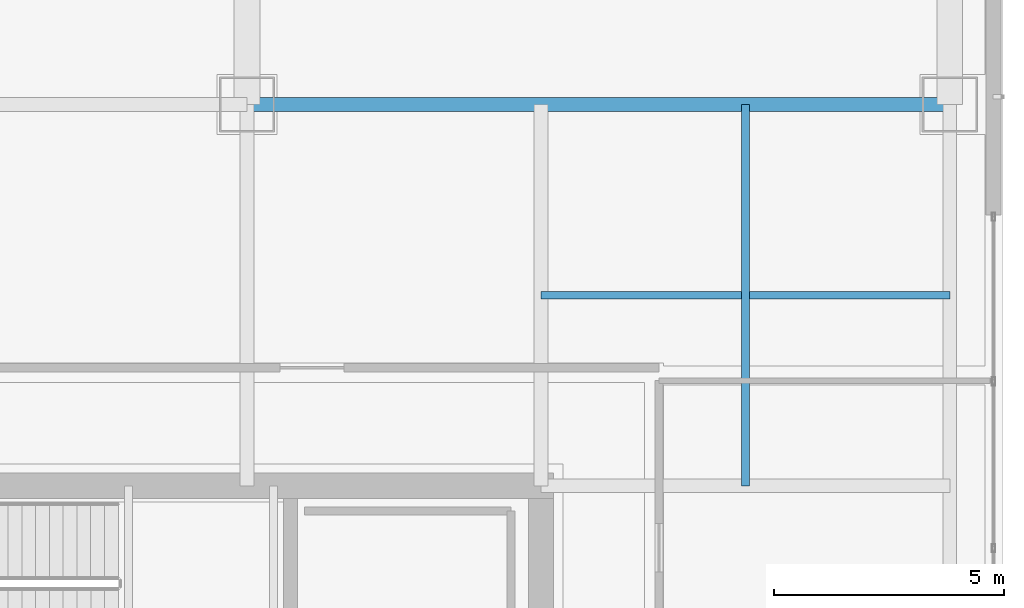
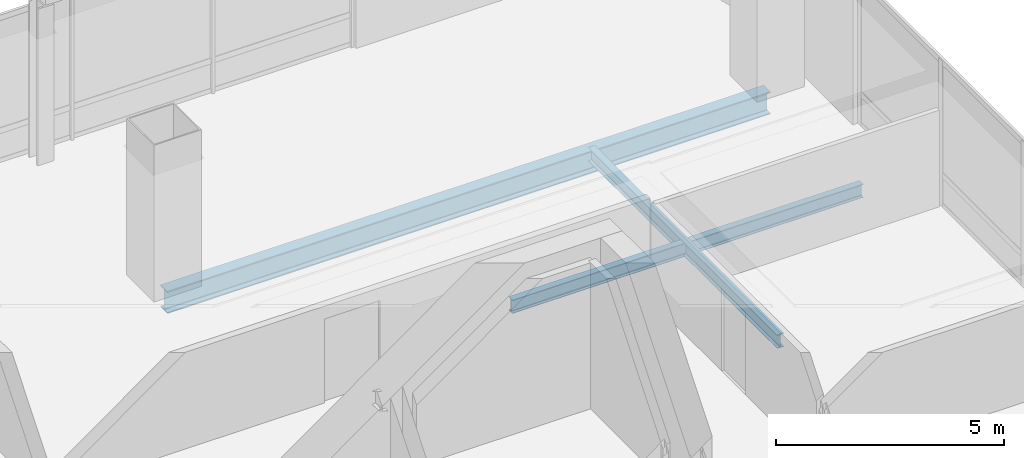
# One storey, part 27 of 51: 3 beams.
"""IFC4 building model written with IfcOpenShell, lengths in metres."""

from ifc_helpers import new_model, si_unit, direction, frame, origin, origin_2d, place, context, subcontext, project, spatial, i_section, extrude, material, material_profile, profile_set, type_object, element, save


model = new_model("IFC4")

# Units and contexts
model_context = context("Model", 3, precision=1e-05, world=origin(), true_north=direction((0.0, 1.0)))
body_context = subcontext(model_context, "Body", "Model", "MODEL_VIEW")
ifc_project = project(units=[si_unit("LENGTHUNIT", "METRE"), si_unit("AREAUNIT", "SQUARE_METRE"), si_unit("VOLUMEUNIT", "CUBIC_METRE"), si_unit("PLANEANGLEUNIT", "RADIAN"), si_unit("MASSUNIT", "GRAM", prefix="KILO")], contexts=[model_context])

# Site, building, storey
site_placement = place(None, origin())
site = spatial("IfcSite", under=ifc_project, at=site_placement, CompositionType="ELEMENT")
building_placement = place(site_placement, origin())
building = spatial("IfcBuilding", under=site, at=building_placement, Name="Punatoya Terracotta Tower", CompositionType="ELEMENT")
storey_placement = place(building_placement, frame((0.0, 0.0, 313.199951171875)))
storey = spatial("IfcBuildingStorey", under=building, at=storey_placement, Name="L74", CompositionType="ELEMENT", Elevation=313.199951171875)

# Beams
ifc_material = material(Name="Steel S355", Category="steel")
ifc_material_profile_1 = material_profile(ifc_material, i_section(OverallWidth=0.300048828125, OverallDepth=0.60009765625, WebThickness=0.015380859375, FlangeThickness=0.030029296875, FilletRadius=0.01806640625, at=origin_2d()))
ifc_profile_set_1 = profile_set([ifc_material_profile_1], Name="Steel S355")
beam_type_1 = type_object("IfcBeamType", Name="BM-PRI-600", PredefinedType="BEAM", material=ifc_profile_set_1)
beam_1_placement = place(storey_placement, frame((3.800048828125, 17.5, -0.5), z_axis=(1.0, 0.0, 0.0), x_axis=(0.0, 1.0, 0.0)))
element("IfcBeam", 1, at=beam_1_placement, inside=storey, type_object=beam_type_1, Name="BM-L74-RG-N3", PredefinedType="BEAM", context=body_context, shape_type="SweptSolid", body=[
    extrude(i_section(OverallWidth=0.300048828125, OverallDepth=0.60009765625, WebThickness=0.015380859375, FlangeThickness=0.030029296875, FilletRadius=0.01806640625, at=origin_2d()), origin(), (0.0, 0.0, 1.0), 15.300048828125),
])
ifc_material_profile_2 = material_profile(ifc_material, i_section(OverallWidth=0.169921875, OverallDepth=0.360107421875, WebThickness=0.008056640625, FlangeThickness=0.0126953125, FilletRadius=0.01806640625, at=origin_2d()))
ifc_profile_set_2 = profile_set([ifc_material_profile_2], Name="Steel S355")
beam_type_2 = type_object("IfcBeamType", Name="BM-SEC-360", PredefinedType="JOIST", material=ifc_profile_set_2)
beam_2_placement = place(storey_placement, frame((10.199951171875, 13.35009765625, -0.3798828125), z_axis=(1.0, 0.0, 0.0), x_axis=(0.0, 1.0, 0.0)))
element("IfcBeam", 2, at=beam_2_placement, inside=storey, type_object=beam_type_2, Name="BM-L74-SJN-2", PredefinedType="JOIST", context=body_context, shape_type="SweptSolid", body=[
    extrude(i_section(OverallWidth=0.169921875, OverallDepth=0.360107421875, WebThickness=0.008056640625, FlangeThickness=0.0126953125, FilletRadius=0.01806640625, at=origin_2d()), origin(), (0.0, 0.0, 1.0), 8.900146484375),
])
beam_3_placement = place(storey_placement, frame((14.64990234375, 9.199951171875, -0.3798828125), z_axis=(0.0, 1.0, 0.0), x_axis=(-1.0, 0.0, 0.0)))
element("IfcBeam", 3, at=beam_3_placement, inside=storey, type_object=beam_type_2, Name="BM-L74-SJE-2", PredefinedType="JOIST", context=body_context, shape_type="SweptSolid", body=[
    extrude(i_section(OverallWidth=0.169921875, OverallDepth=0.360107421875, WebThickness=0.008056640625, FlangeThickness=0.0126953125, FilletRadius=0.01806640625, at=origin_2d()), origin(), (0.0, 0.0, 1.0), 8.300048828125),
])

save(model, "model.ifc")
